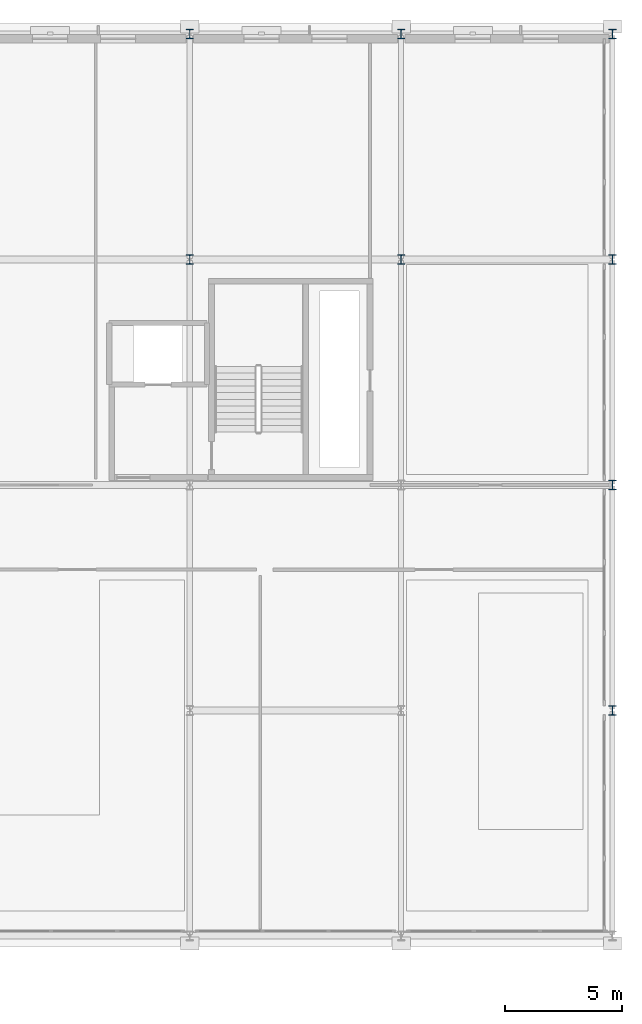
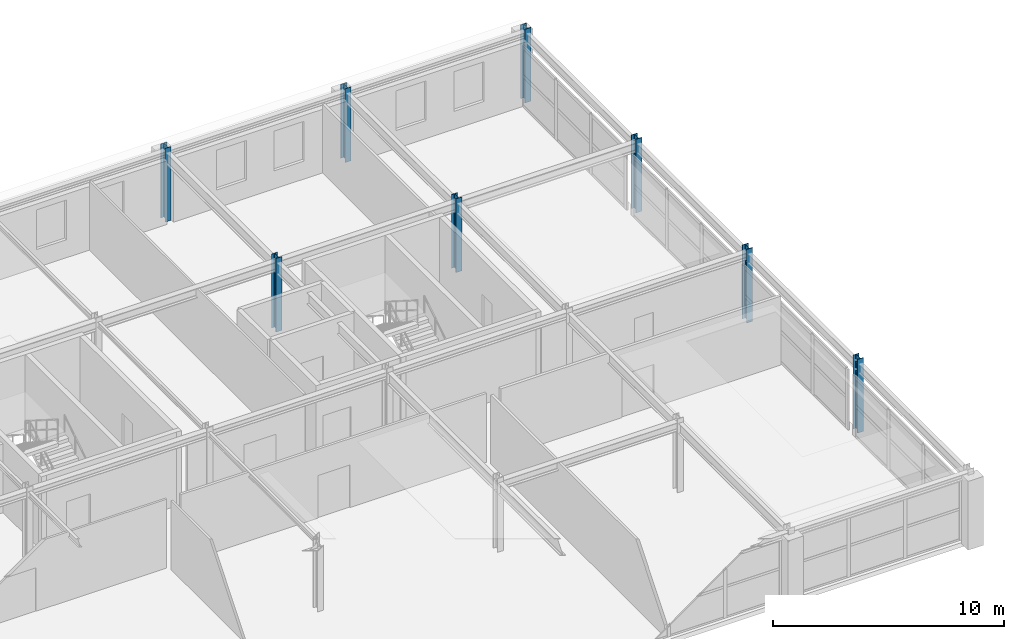
# One storey, part 13 of 52: 8 columns.
"""IFC4 building model written with IfcOpenShell, lengths in metres."""

from ifc_helpers import new_model, si_unit, direction, frame, origin, origin_2d, place, context, subcontext, project, spatial, i_section, extrude, material, material_profile, profile_set, type_object, element, save


model = new_model("IFC4")

# Units and contexts
model_context = context("Model", 3, precision=1e-05, world=origin(), true_north=direction((0.0, 1.0)))
body_context = subcontext(model_context, "Body", "Model", "MODEL_VIEW")
ifc_project = project(units=[si_unit("LENGTHUNIT", "METRE"), si_unit("AREAUNIT", "SQUARE_METRE"), si_unit("VOLUMEUNIT", "CUBIC_METRE"), si_unit("PLANEANGLEUNIT", "RADIAN"), si_unit("MASSUNIT", "GRAM", prefix="KILO")], contexts=[model_context])

# Site, building, storey
site_placement = place(None, origin())
site = spatial("IfcSite", under=ifc_project, at=site_placement, CompositionType="ELEMENT")
building_placement = place(site_placement, origin())
building = spatial("IfcBuilding", under=site, at=building_placement, Name="Myrtia Square Station", CompositionType="ELEMENT")
storey_placement = place(building_placement, frame((0.0, 0.0, 15.0)))
storey = spatial("IfcBuildingStorey", under=building, at=storey_placement, Name="L03", CompositionType="ELEMENT", Elevation=15.0)

# Columns
ifc_material = material(Name="Steel S355", Category="steel")
ifc_material_profile = material_profile(ifc_material, i_section(OverallWidth=0.300048828125, OverallDepth=0.39990234375, WebThickness=0.013427734375, FlangeThickness=0.02392578125, FilletRadius=0.027099609375, at=origin_2d()), Name="HEB 400")
ifc_profile_set = profile_set([ifc_material_profile], Name="Steel S355")
column_type = type_object("IfcColumnType", Name="COL-HEB400", PredefinedType="COLUMN", material=ifc_profile_set)
for number, where, z_axis, x_axis, name in (
    (1, (171.0, 115.199951171875, 0.0), (0.0, 0.0, 1.0), (1.0, 0.0, 0.0), "Column L03-0950"),
    (2, (171.0, 124.800048828125, 0.0), (0.0, 0.0, 1.0), (1.0, 0.0, 0.0), "Column L03-0956"),
    (3, (180.0, 115.199951171875, 0.0), (0.0, 0.0, 1.0), (1.0, 0.0, 0.0), "Column L03-0980"),
    (4, (180.0, 124.800048828125, 0.0), (0.0, 0.0, 1.0), (1.0, 0.0, 0.0), "Column L03-0986"),
    (5, (189.0, 96.0, 0.0), (0.0, 0.0, 1.0), (1.0, 0.0, 0.0), "Column L03-0998"),
    (6, (189.0, 105.60009765625, 0.0), (0.0, 0.0, 1.0), (1.0, 0.0, 0.0), "Column L03-1004"),
    (7, (189.0, 115.199951171875, 0.0), (0.0, 0.0, 1.0), (1.0, 0.0, 0.0), "Column L03-1010"),
    (8, (189.0, 124.800048828125, 0.0), (0.0, 0.0, 1.0), (1.0, 0.0, 0.0), "Column L03-1016"),
):
    element("IfcColumn", number, at=place(storey_placement, frame(where, z_axis=z_axis, x_axis=x_axis)), inside=storey, type_object=column_type, Name=name, PredefinedType="COLUMN", context=body_context, shape_type="SweptSolid", body=[
        extrude(i_section(OverallWidth=0.300048828125, OverallDepth=0.39990234375, WebThickness=0.013427734375, FlangeThickness=0.02392578125, FilletRadius=0.027099609375, at=origin_2d()), origin(), (0.0, 0.0, 1.0), 3.89990234375),
    ])

save(model, "model.ifc")
